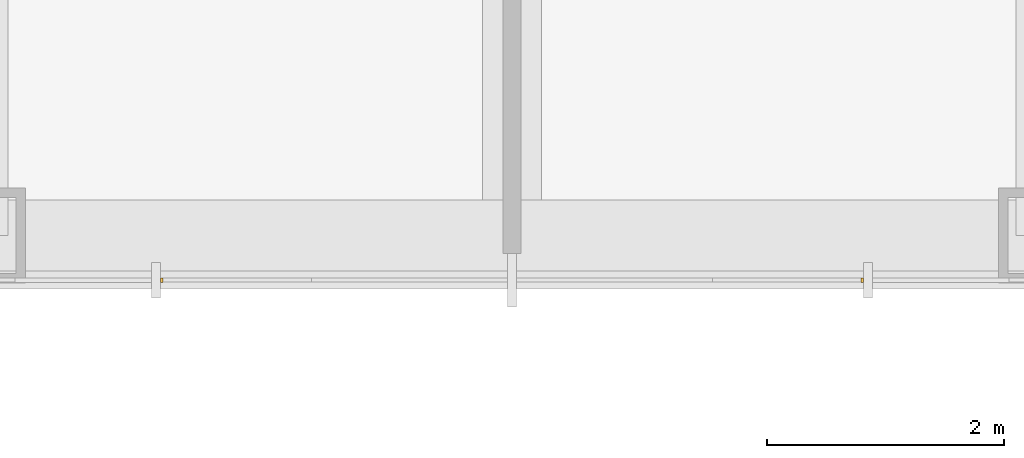
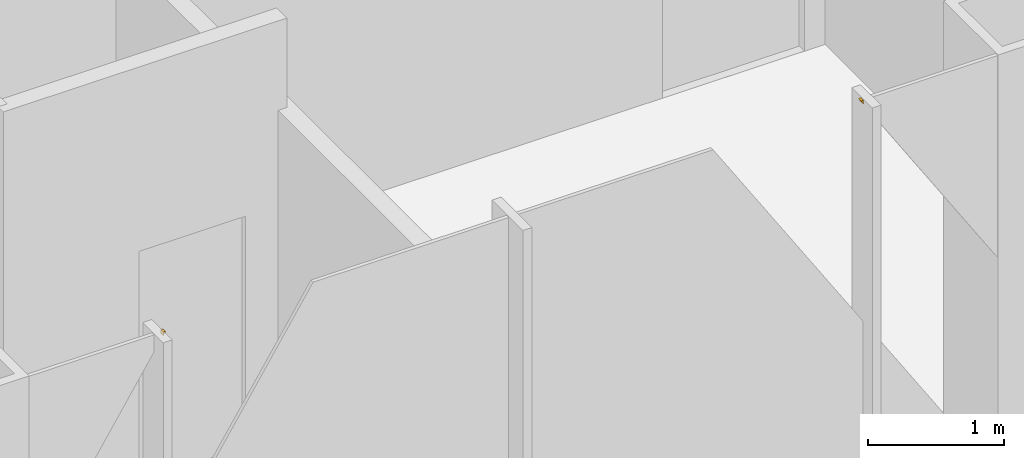
# One storey, part 14 of 17: 2 coverings.
"""IFC4 building model written with IfcOpenShell, lengths in metres."""

from ifc_helpers import new_model, si_unit, direction, frame, origin, place, context, subcontext, project, spatial, polyline, outline, extrude, material, layer, layer_set, type_object, element, save


model = new_model("IFC4")

# Units and contexts
model_context = context("Model", 3, precision=1e-05, world=origin(), true_north=direction((0.0, 1.0)))
body_context = subcontext(model_context, "Body", "Model", "MODEL_VIEW")
ifc_project = project(units=[si_unit("LENGTHUNIT", "METRE"), si_unit("AREAUNIT", "SQUARE_METRE"), si_unit("VOLUMEUNIT", "CUBIC_METRE"), si_unit("PLANEANGLEUNIT", "RADIAN"), si_unit("MASSUNIT", "GRAM", prefix="KILO")], contexts=[model_context])

# Site, building, storey
site_placement = place(None, origin())
site = spatial("IfcSite", under=ifc_project, at=site_placement, CompositionType="ELEMENT")
building_placement = place(site_placement, origin())
building = spatial("IfcBuilding", under=site, at=building_placement, Name="Malebo Sky Hospital", CompositionType="ELEMENT")
storey_placement = place(building_placement, frame((0.0, 0.0, 237.0)))
storey = spatial("IfcBuildingStorey", under=building, at=storey_placement, Name="L57", CompositionType="ELEMENT", Elevation=237.0)

# Coverings
ifc_material = material(Name="Anodised aluminium, natural silver insulated infill panel", Category="aluminium")
ifc_layer = layer(ifc_material, 0.0400390625)
ifc_layer_set = layer_set([ifc_layer], Name="BRACE INFILL PANEL 40")
covering_type = type_object("IfcCoveringType", Name="BRACE INFILL PANEL 40", PredefinedType="CLADDING", material=ifc_layer_set)
covering_1_placement = place(storey_placement, frame((62.95166015625, 39.425048828125, 3.956298828125), z_axis=(0.0, 0.0, 1.0), x_axis=(-1.0, 0.0, 0.0)))
element("IfcCovering", 1, at=covering_1_placement, inside=storey, type_object=covering_type, Name="Brace infill panel 7.1", PredefinedType="CLADDING", context=body_context, shape_type="SweptSolid", body=[
    extrude(outline(polyline([(-0.0107421875, 0.0), (0.0107421875, 0.03369140625), (-0.0107421875, 0.03369140625), (-0.0107421875, 0.0)])), frame((0.0, 0.02001953125, 0.0), z_axis=(0.0, -1.0, 0.0), x_axis=(1.0, 0.0, 0.0)), (0.0, 0.0, 1.0), 0.0400390625),
])
covering_2_placement = place(storey_placement, frame((57.04833984375, 39.425048828125, 3.956298828125), z_axis=(0.0, 0.0, 1.0), x_axis=(-1.0, 0.0, 0.0)))
element("IfcCovering", 2, at=covering_2_placement, inside=storey, type_object=covering_type, Name="Brace infill panel 8.1", PredefinedType="CLADDING", context=body_context, shape_type="SweptSolid", body=[
    extrude(outline(polyline([(0.0107421875, 0.0), (0.0107421875, 0.03369140625), (-0.0107421875, 0.03369140625), (0.0107421875, 0.0)])), frame((0.0, 0.02001953125, 0.0), z_axis=(0.0, -1.0, 0.0), x_axis=(1.0, 0.0, 0.0)), (0.0, 0.0, 1.0), 0.0400390625),
])

save(model, "model.ifc")
